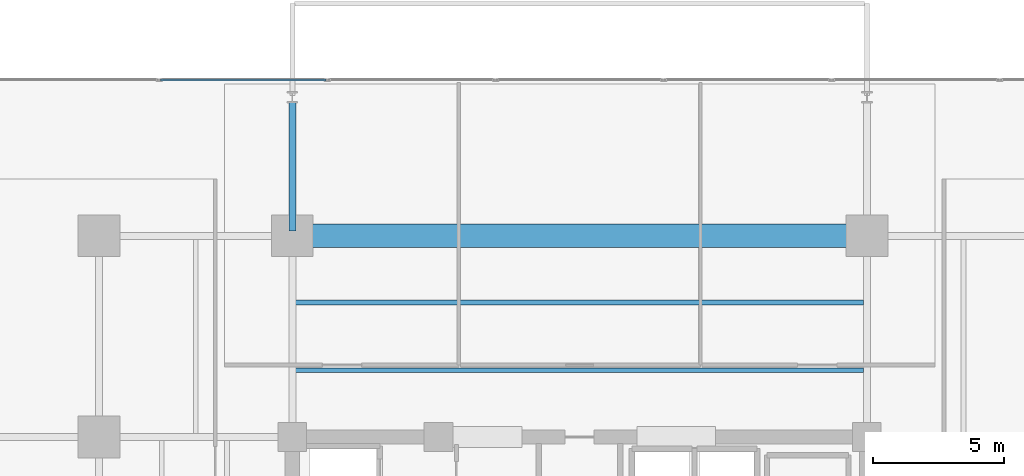
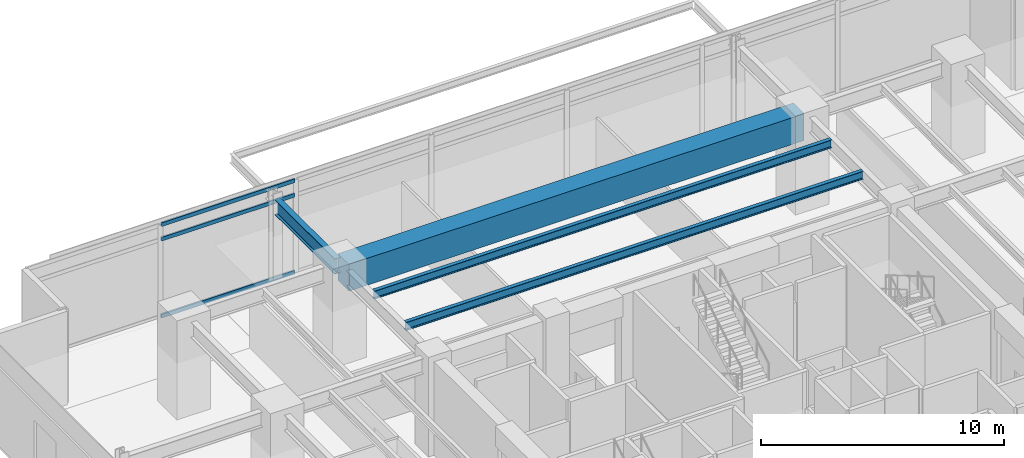
# One storey, part 9 of 24: 4 beams, 3 members, 1 element without a shape of its own.
"""IFC4 building model written with IfcOpenShell, lengths in metres."""

from ifc_helpers import new_model, si_unit, direction, frame, origin, origin_2d, place, context, subcontext, project, spatial, rectangle, hollow_rectangle, i_section, extrude, material, material_profile, profile_set, type_object, element, aggregate, save


model = new_model("IFC4")

# Units and contexts
model_context = context("Model", 3, precision=1e-05, world=origin(), true_north=direction((0.0, 1.0)))
body_context = subcontext(model_context, "Body", "Model", "MODEL_VIEW")
ifc_project = project(units=[si_unit("LENGTHUNIT", "METRE"), si_unit("AREAUNIT", "SQUARE_METRE"), si_unit("VOLUMEUNIT", "CUBIC_METRE"), si_unit("PLANEANGLEUNIT", "RADIAN"), si_unit("MASSUNIT", "GRAM", prefix="KILO")], contexts=[model_context])

# Site, building, storey
site_placement = place(None, origin())
site = spatial("IfcSite", under=ifc_project, at=site_placement, CompositionType="ELEMENT")
building_placement = place(site_placement, origin())
building = spatial("IfcBuilding", under=site, at=building_placement, Name="Kovane Verandah Tower", CompositionType="ELEMENT")
storey_placement = place(building_placement, frame((0.0, 0.0, 118.39990234375)))
storey = spatial("IfcBuildingStorey", under=building, at=storey_placement, Name="L27", CompositionType="ELEMENT", Elevation=118.39990234375)

# Beams
ifc_material_1 = material(Name="Concrete C80/95", Category="concrete")
ifc_material_profile_1 = material_profile(ifc_material_1, rectangle(XDim=0.89990234375, YDim=1.35009765625, at=origin_2d()), Name="RCB900x1350")
ifc_profile_set_1 = profile_set([ifc_material_profile_1], Name="Concrete C80/95")
beam_type_1 = type_object("IfcBeamType", Name="BM-TR-900x1350", PredefinedType="BEAM", material=ifc_profile_set_1)
beam_1_placement = place(storey_placement, frame((29.179931640625, 44.199951171875, 4.025146484375), z_axis=(1.0, 0.0, 0.0), x_axis=(0.0, 1.0, 0.0)))
element("IfcBeam", 1, at=beam_1_placement, inside=storey, type_object=beam_type_1, Name="L27 Primary Tower Girder G-RN2", PredefinedType="BEAM", context=body_context, shape_type="SweptSolid", body=[
    extrude(rectangle(XDim=0.89990234375, YDim=1.35009765625, at=origin_2d()), origin(), (0.0, 0.0, 1.0), 21.64013671875),
])
ifc_material_2 = material(Name="Steel S355", Category="steel")
ifc_material_profile_2 = material_profile(ifc_material_2, i_section(OverallWidth=0.26806640625, OverallDepth=0.769775390625, WebThickness=0.015625, FlangeThickness=0.025390625, FilletRadius=0.0166015625, at=origin_2d()), Name="UB762x267x197")
ifc_profile_set_2 = profile_set([ifc_material_profile_2], Name="Steel S355")
beam_type_2 = type_object("IfcBeamType", Name="BM-UB762x197", PredefinedType="BEAM", material=ifc_profile_set_2)
beam_2_placement = place(storey_placement, frame((29.0, 44.3798828125, 4.315185546875), z_axis=(0.0, 1.0, 0.0), x_axis=(-1.0, 0.0, 0.0)))
element("IfcBeam", 2, at=beam_2_placement, inside=storey, type_object=beam_type_2, Name="L27 Primary Tower Girder G-VN1", PredefinedType="BEAM", context=body_context, shape_type="SweptSolid", body=[
    extrude(i_section(OverallWidth=0.26806640625, OverallDepth=0.769775390625, WebThickness=0.015625, FlangeThickness=0.025390625, FilletRadius=0.0166015625, at=origin_2d()), origin(), (0.0, 0.0, 1.0), 4.940185546875),
])

# Curtain wall, members
ifc_material_3 = material(Name="Champagne Anodised Aluminium Frame with Low-E Clear Laminated Glass", Category="aluminium")
curtain_wall_type = type_object("IfcCurtainWallType", Name="CW-SYS-03-MID", PredefinedType="NOTDEFINED", material=ifc_material_3)
curtain_wall_placement = place(storey_placement, origin())
curtain_wall = element("IfcCurtainWall", 3, at=curtain_wall_placement, inside=storey, type_object=curtain_wall_type, Name="L27 N Unitised Curtain Wall", PredefinedType="NOTDEFINED")
ifc_material_4 = material(Name="Champagne Anodised Aluminium 6063-T6", Category="aluminium")
ifc_material_profile_3 = material_profile(ifc_material_4, hollow_rectangle(XDim=0.0849609375, YDim=0.18994140625, WallThickness=0.00390625, at=origin_2d()), Name="AL85x190x4")
ifc_profile_set_3 = profile_set([ifc_material_profile_3], Name="Champagne Anodised Aluminium 6063-T6")
member_type = type_object("IfcMemberType", Name="CW-TRN-85x190", PredefinedType="USERDEFINED", material=ifc_profile_set_3)
member_1_placement = place(storey_placement, frame((30.294189453125, 50.1708984375, 0.050048828125), z_axis=(-1.0, 0.0, 0.0), x_axis=(0.0, -1.0, 0.0)))
member_1 = element("IfcMember", 4, at=member_1_placement, type_object=member_type, Name="L27 N Unitised Curtain Wall Transom TB Bay 6", ObjectType="TRANSOM", PredefinedType="USERDEFINED", context=body_context, shape_type="SweptSolid", body=[
    extrude(hollow_rectangle(XDim=0.0849609375, YDim=0.18994140625, WallThickness=0.00390625, at=origin_2d()), origin(), (0.0, 0.0, 1.0), 6.3369140625),
])
member_2_placement = place(storey_placement, frame((30.294189453125, 50.1708984375, 3.920166015625), z_axis=(-1.0, 0.0, 0.0), x_axis=(0.0, -1.0, 0.0)))
member_2 = element("IfcMember", 5, at=member_2_placement, type_object=member_type, Name="L27 N Unitised Curtain Wall Transom TM Bay 6", ObjectType="TRANSOM", PredefinedType="USERDEFINED", context=body_context, shape_type="SweptSolid", body=[
    extrude(hollow_rectangle(XDim=0.0849609375, YDim=0.18994140625, WallThickness=0.00390625, at=origin_2d()), origin(), (0.0, 0.0, 1.0), 6.3369140625),
])
member_3_placement = place(storey_placement, frame((30.294189453125, 50.1708984375, 4.650146484375), z_axis=(-1.0, 0.0, 0.0), x_axis=(0.0, -1.0, 0.0)))
member_3 = element("IfcMember", 6, at=member_3_placement, type_object=member_type, Name="L27 N Unitised Curtain Wall Transom TT Bay 6", ObjectType="TRANSOM", PredefinedType="USERDEFINED", context=body_context, shape_type="SweptSolid", body=[
    extrude(hollow_rectangle(XDim=0.0849609375, YDim=0.18994140625, WallThickness=0.00390625, at=origin_2d()), origin(), (0.0, 0.0, 1.0), 6.3369140625),
])
aggregate(curtain_wall, [member_1, member_2, member_3])

# Beams
ifc_material_profile_4 = material_profile(ifc_material_2, i_section(OverallWidth=0.179443359375, OverallDepth=0.412841796875, WebThickness=0.009521484375, FlangeThickness=0.01611328125, FilletRadius=0.01025390625, at=origin_2d()), Name="UB406x178x74")
ifc_profile_set_4 = profile_set([ifc_material_profile_4], Name="Steel S355")
beam_type_3 = type_object("IfcBeamType", Name="JST-UB406x74", PredefinedType="JOIST", material=ifc_profile_set_4)
for number, where, z_axis, x_axis, name in (
    (7, (29.132080078125, 39.050048828125, 4.49365234375), (1.0, 0.0, 0.0), (0.0, 1.0, 0.0), "L27 Secondary Composite Joist J-N1"),
    (8, (29.132080078125, 41.64990234375, 4.49365234375), (1.0, 0.0, 0.0), (0.0, 1.0, 0.0), "L27 Secondary Composite Joist J-N2"),
):
    element("IfcBeam", number, at=place(storey_placement, frame(where, z_axis=z_axis, x_axis=x_axis)), inside=storey, type_object=beam_type_3, Name=name, PredefinedType="JOIST", context=body_context, shape_type="SweptSolid", body=[
        extrude(i_section(OverallWidth=0.179443359375, OverallDepth=0.412841796875, WebThickness=0.009521484375, FlangeThickness=0.01611328125, FilletRadius=0.01025390625, at=origin_2d()), origin(), (0.0, 0.0, 1.0), 21.73583984375),
    ])

save(model, "model.ifc")
